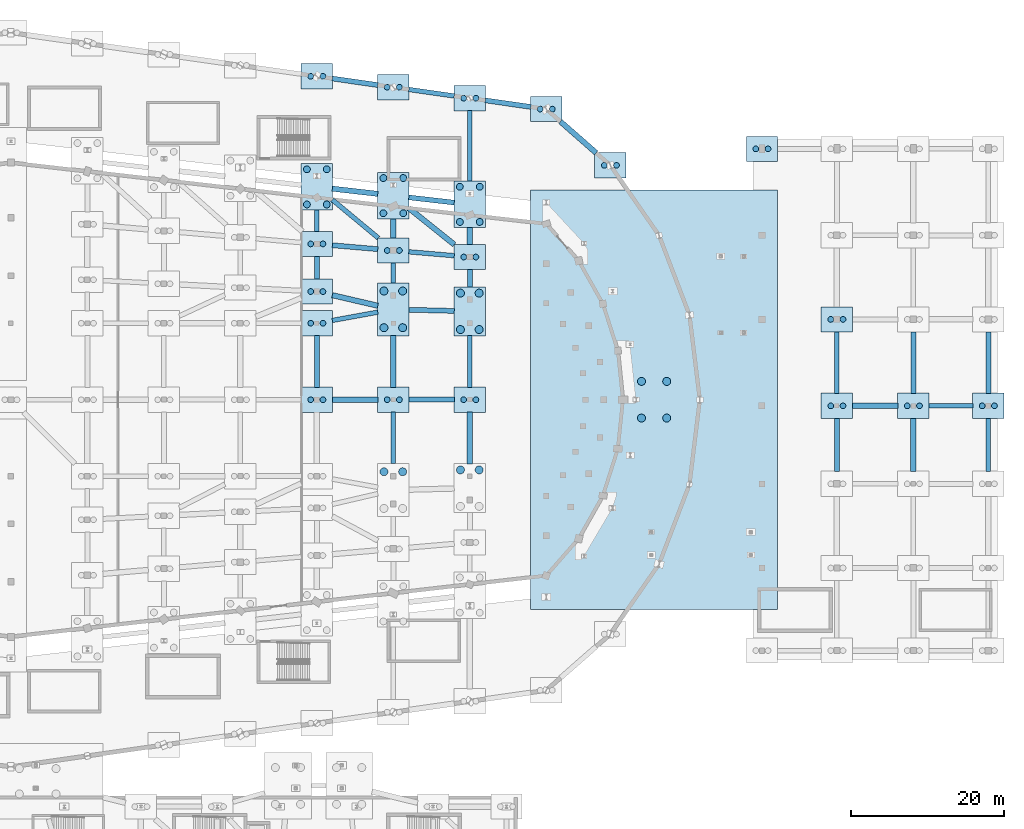
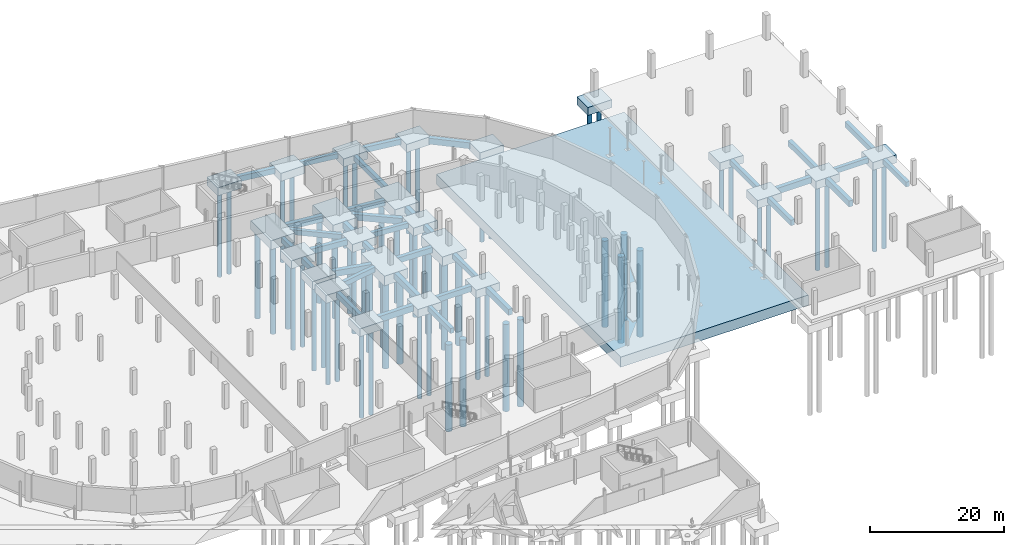
# One storey, part 6 of 55: 64 piles, 59 footings.
"""IFC4 building model written with IfcOpenShell, lengths in metres."""

from ifc_helpers import new_model, si_unit, direction, frame, origin, origin_2d, place, context, subcontext, project, spatial, rectangle, circle, extrude, material, material_profile, profile_set, type_object, element, save


model = new_model("IFC4")

# Units and contexts
model_context = context("Model", 3, precision=1e-05, world=origin(), true_north=direction((0.0, 1.0)))
body_context = subcontext(model_context, "Body", "Model", "MODEL_VIEW")
ifc_project = project(units=[si_unit("LENGTHUNIT", "METRE"), si_unit("AREAUNIT", "SQUARE_METRE"), si_unit("VOLUMEUNIT", "CUBIC_METRE"), si_unit("PLANEANGLEUNIT", "RADIAN"), si_unit("MASSUNIT", "GRAM", prefix="KILO")], contexts=[model_context])

# Site, building, storey
site_placement = place(None, origin())
site = spatial("IfcSite", under=ifc_project, at=site_placement, CompositionType="ELEMENT")
building_placement = place(site_placement, origin())
building = spatial("IfcBuilding", under=site, at=building_placement, Name="Sohan Crest Arena", CompositionType="ELEMENT")
storey_placement = place(building_placement, frame((0.0, 0.0, -4.5)))
storey = spatial("IfcBuildingStorey", under=building, at=storey_placement, Name="B1", CompositionType="ELEMENT", Elevation=-4.5)

# Footings
ifc_material = material(Name="Concrete C40/50", Category="concrete")
ifc_material_profile_1 = material_profile(ifc_material, rectangle(XDim=0.60009765625, YDim=0.89990234375, at=origin_2d()), Name="RC-FB 600x900")
ifc_profile_set_1 = profile_set([ifc_material_profile_1], Name="Concrete C40/50")
footing_type_1 = type_object("IfcFootingType", Name="FND-FB01", PredefinedType="FOOTING_BEAM", material=ifc_profile_set_1)
footing_1_placement = place(storey_placement, frame((140.030029296875, 88.367919921875, -1.0), z_axis=(0.983895781155, 0.17874308889, 0.0), x_axis=(-0.17874308889, 0.983895781155, 0.0)))
element("IfcFooting", 1, at=footing_1_placement, inside=storey, type_object=footing_type_1, Name="Continuous RC footing tie beam FB-153", PredefinedType="FOOTING_BEAM", context=body_context, shape_type="SweptSolid", body=[
    extrude(rectangle(XDim=0.60009765625, YDim=0.89990234375, at=origin_2d()), origin(), (0.0, 0.0, 1.0), 6.037109375),
])
footing_2_placement = place(storey_placement, frame((138.0, 100.0009765625, -1.0), z_axis=(0.0, 1.0, 0.0), x_axis=(-1.0, 0.0, 0.0)))
element("IfcFooting", 2, at=footing_2_placement, inside=storey, type_object=footing_type_1, Name="Continuous RC footing tie beam FB-156", PredefinedType="FOOTING_BEAM", context=body_context, shape_type="SweptSolid", body=[
    extrude(rectangle(XDim=0.60009765625, YDim=0.89990234375, at=origin_2d()), origin(), (0.0, 0.0, 1.0), 2.798095703125),
])
footing_3_placement = place(storey_placement, frame((140.030029296875, 104.14111328125, -1.0), z_axis=(0.768930012931, -0.639332961151, 0.0), x_axis=(0.639332961151, 0.768930012931, 0.0)))
element("IfcFooting", 3, at=footing_3_placement, inside=storey, type_object=footing_type_1, Name="Continuous RC footing tie beam FB-159", PredefinedType="FOOTING_BEAM", context=body_context, shape_type="SweptSolid", body=[
    extrude(rectangle(XDim=0.60009765625, YDim=0.89990234375, at=origin_2d()), origin(), (0.0, 0.0, 1.0), 7.816162109375),
])
footing_4_placement = place(storey_placement, frame((148.0, 69.6298828125, -1.0), z_axis=(0.0, 1.0, 0.0), x_axis=(-1.0, 0.0, 0.0)))
element("IfcFooting", 4, at=footing_4_placement, inside=storey, type_object=footing_type_1, Name="Continuous RC footing tie beam FB-174", PredefinedType="FOOTING_BEAM", context=body_context, shape_type="SweptSolid", body=[
    extrude(rectangle(XDim=0.60009765625, YDim=0.89990234375, at=origin_2d()), origin(), (0.0, 0.0, 1.0), 6.740234375),
])
footing_5_placement = place(storey_placement, frame((148.0, 93.260009765625, -1.0), z_axis=(0.0, 1.0, 0.0), x_axis=(-1.0, 0.0, 0.0)))
element("IfcFooting", 5, at=footing_5_placement, inside=storey, type_object=footing_type_1, Name="Continuous RC footing tie beam FB-177", PredefinedType="FOOTING_BEAM", context=body_context, shape_type="SweptSolid", body=[
    extrude(rectangle(XDim=0.60009765625, YDim=0.89990234375, at=origin_2d()), origin(), (0.0, 0.0, 1.0), 2.6240234375),
])
footing_6_placement = place(storey_placement, frame((150.030029296875, 97.340087890625, -1.0), z_axis=(0.996348142256, -0.085383718726, 0.0), x_axis=(0.085383718726, 0.996348142256, 0.0)))
element("IfcFooting", 6, at=footing_6_placement, inside=storey, type_object=footing_type_1, Name="Continuous RC footing tie beam FB-180", PredefinedType="FOOTING_BEAM", context=body_context, shape_type="SweptSolid", body=[
    extrude(rectangle(XDim=0.60009765625, YDim=0.89990234375, at=origin_2d()), origin(), (0.0, 0.0, 1.0), 5.961669921875),
])
footing_7_placement = place(storey_placement, frame((150.030029296875, 118.56689453125, -1.0), z_axis=(0.989964949589, -0.141313122479, 0.0), x_axis=(0.141313122479, 0.989964949589, 0.0)))
element("IfcFooting", 7, at=footing_7_placement, inside=storey, type_object=footing_type_1, Name="Continuous RC footing tie beam FB-183", PredefinedType="FOOTING_BEAM", context=body_context, shape_type="SweptSolid", body=[
    extrude(rectangle(XDim=0.60009765625, YDim=0.89990234375, at=origin_2d()), origin(), (0.0, 0.0, 1.0), 6.000244140625),
])
footing_8_placement = place(storey_placement, frame((158.0, 79.6298828125, -1.0), z_axis=(0.0, 1.0, 0.0), x_axis=(-1.0, 0.0, 0.0)))
element("IfcFooting", 8, at=footing_8_placement, inside=storey, type_object=footing_type_1, Name="Continuous RC footing tie beam FB-195", PredefinedType="FOOTING_BEAM", context=body_context, shape_type="SweptSolid", body=[
    extrude(rectangle(XDim=0.60009765625, YDim=0.89990234375, at=origin_2d()), origin(), (0.0, 0.0, 1.0), 6.7421875),
])
footing_9_placement = place(storey_placement, frame((158.0, 106.572998046875, -1.0), z_axis=(0.0, 1.0, 0.0), x_axis=(-1.0, 0.0, 0.0)))
element("IfcFooting", 9, at=footing_9_placement, inside=storey, type_object=footing_type_1, Name="Continuous RC footing tie beam FB-198", PredefinedType="FOOTING_BEAM", context=body_context, shape_type="SweptSolid", body=[
    extrude(rectangle(XDim=0.60009765625, YDim=0.89990234375, at=origin_2d()), origin(), (0.0, 0.0, 1.0), 9.22607421875),
])
footing_10_placement = place(storey_placement, frame((206.0, 78.830078125, -1.0), z_axis=(0.0, 1.0, 0.0), x_axis=(-1.0, 0.0, 0.0)))
element("IfcFooting", 10, at=footing_10_placement, inside=storey, type_object=footing_type_1, Name="Continuous RC footing tie beam FB-213", PredefinedType="FOOTING_BEAM", context=body_context, shape_type="SweptSolid", body=[
    extrude(rectangle(XDim=0.60009765625, YDim=0.89990234375, at=origin_2d()), origin(), (0.0, 0.0, 1.0), 8.0400390625),
])
footing_11_placement = place(storey_placement, frame((218.030029296875, 77.199951171875, -1.0), z_axis=(1.0, 0.0, 0.0), x_axis=(0.0, 1.0, 0.0)))
element("IfcFooting", 11, at=footing_11_placement, inside=storey, type_object=footing_type_1, Name="Continuous RC footing tie beam FB-225", PredefinedType="FOOTING_BEAM", context=body_context, shape_type="SweptSolid", body=[
    extrude(rectangle(XDim=0.60009765625, YDim=0.89990234375, at=origin_2d()), origin(), (0.0, 0.0, 1.0), 5.739990234375),
])
footing_12_placement = place(storey_placement, frame((225.800048828125, 68.6298828125, -1.0), z_axis=(0.0, 1.0, 0.0), x_axis=(-1.0, 0.0, 0.0)))
element("IfcFooting", 12, at=footing_12_placement, inside=storey, type_object=footing_type_1, Name="Continuous RC footing tie beam FB-234", PredefinedType="FOOTING_BEAM", context=body_context, shape_type="SweptSolid", body=[
    extrude(rectangle(XDim=0.60009765625, YDim=0.89990234375, at=origin_2d()), origin(), (0.0, 0.0, 1.0), 6.940185546875),
])
ifc_material_profile_2 = material_profile(ifc_material, rectangle(XDim=0.64990234375, YDim=1.0, at=origin_2d()), Name="RC-FB 650x1000")
ifc_profile_set_2 = profile_set([ifc_material_profile_2], Name="Concrete C40/50")
footing_type_2 = type_object("IfcFootingType", Name="FND-FB02", PredefinedType="FOOTING_BEAM", material=ifc_profile_set_2)
footing_13_placement = place(storey_placement, frame((138.0, 79.6298828125, -1.050048828125), z_axis=(0.0, 1.0, 0.0), x_axis=(-1.0, 0.0, 0.0)))
element("IfcFooting", 13, at=footing_13_placement, inside=storey, type_object=footing_type_2, Name="Continuous RC footing tie beam FB-151", PredefinedType="FOOTING_BEAM", context=body_context, shape_type="SweptSolid", body=[
    extrude(rectangle(XDim=0.64990234375, YDim=1.0, at=origin_2d()), origin(), (0.0, 0.0, 1.0), 6.740234375),
])
footing_14_placement = place(storey_placement, frame((138.0, 93.77294921875, -1.050048828125), z_axis=(0.0, 1.0, 0.0), x_axis=(-1.0, 0.0, 0.0)))
element("IfcFooting", 14, at=footing_14_placement, inside=storey, type_object=footing_type_2, Name="Continuous RC footing tie beam FB-154", PredefinedType="FOOTING_BEAM", context=body_context, shape_type="SweptSolid", body=[
    extrude(rectangle(XDim=0.64990234375, YDim=1.0, at=origin_2d()), origin(), (0.0, 0.0, 1.0), 2.968017578125),
])
footing_15_placement = place(storey_placement, frame((140.030029296875, 98.197021484375, -1.050048828125), z_axis=(0.996348142256, -0.085383718726, 0.0), x_axis=(0.085383718726, 0.996348142256, 0.0)))
element("IfcFooting", 15, at=footing_15_placement, inside=storey, type_object=footing_type_2, Name="Continuous RC footing tie beam FB-157", PredefinedType="FOOTING_BEAM", context=body_context, shape_type="SweptSolid", body=[
    extrude(rectangle(XDim=0.64990234375, YDim=1.0, at=origin_2d()), origin(), (0.0, 0.0, 1.0), 5.961669921875),
])
footing_16_placement = place(storey_placement, frame((140.030029296875, 119.99609375, -1.050048828125), z_axis=(0.989936469339, -0.141512496521, 0.0), x_axis=(0.141512496521, 0.989936469339, 0.0)))
element("IfcFooting", 16, at=footing_16_placement, inside=storey, type_object=footing_type_2, Name="Continuous RC footing tie beam FB-160", PredefinedType="FOOTING_BEAM", context=body_context, shape_type="SweptSolid", body=[
    extrude(rectangle(XDim=0.64990234375, YDim=1.0, at=origin_2d()), origin(), (0.0, 0.0, 1.0), 6.000244140625),
])
footing_17_placement = place(storey_placement, frame((150.030029296875, 78.0, -1.050048828125), z_axis=(1.0, 0.0, 0.0), x_axis=(0.0, 1.0, 0.0)))
element("IfcFooting", 17, at=footing_17_placement, inside=storey, type_object=footing_type_2, Name="Continuous RC footing tie beam FB-175", PredefinedType="FOOTING_BEAM", context=body_context, shape_type="SweptSolid", body=[
    extrude(rectangle(XDim=0.64990234375, YDim=1.0, at=origin_2d()), origin(), (0.0, 0.0, 1.0), 5.93994140625),
])
footing_18_placement = place(storey_placement, frame((150.030029296875, 89.762939453125, -1.050048828125), z_axis=(0.999663855907, -0.02592634168, 0.0), x_axis=(0.02592634168, 0.999663855907, 0.0)))
element("IfcFooting", 18, at=footing_18_placement, inside=storey, type_object=footing_type_2, Name="Continuous RC footing tie beam FB-178", PredefinedType="FOOTING_BEAM", context=body_context, shape_type="SweptSolid", body=[
    extrude(rectangle(XDim=0.64990234375, YDim=1.0, at=origin_2d()), origin(), (0.0, 0.0, 1.0), 5.94189453125),
])
footing_19_placement = place(storey_placement, frame((150.030029296875, 104.4541015625, -1.050048828125), z_axis=(0.993526089935, -0.113604175183, 0.0), x_axis=(0.113604175183, 0.993526089935, 0.0)))
element("IfcFooting", 19, at=footing_19_placement, inside=storey, type_object=footing_type_2, Name="Continuous RC footing tie beam FB-181", PredefinedType="FOOTING_BEAM", context=body_context, shape_type="SweptSolid", body=[
    extrude(rectangle(XDim=0.64990234375, YDim=1.0, at=origin_2d()), origin(), (0.0, 0.0, 1.0), 5.978759765625),
])
footing_20_placement = place(storey_placement, frame((158.0, 92.741943359375, -1.050048828125), z_axis=(0.0, 1.0, 0.0), x_axis=(-1.0, 0.0, 0.0)))
element("IfcFooting", 20, at=footing_20_placement, inside=storey, type_object=footing_type_2, Name="Continuous RC footing tie beam FB-196", PredefinedType="FOOTING_BEAM", context=body_context, shape_type="SweptSolid", body=[
    extrude(rectangle(XDim=0.64990234375, YDim=1.0, at=origin_2d()), origin(), (0.0, 0.0, 1.0), 2.28515625),
])
footing_21_placement = place(storey_placement, frame((160.030029296875, 117.138916015625, -1.050048828125), z_axis=(0.989942168471, -0.14147262309, 0.0), x_axis=(0.14147262309, 0.989942168471, 0.0)))
element("IfcFooting", 21, at=footing_21_placement, inside=storey, type_object=footing_type_2, Name="Continuous RC footing tie beam FB-199", PredefinedType="FOOTING_BEAM", context=body_context, shape_type="SweptSolid", body=[
    extrude(rectangle(XDim=0.64990234375, YDim=1.0, at=origin_2d()), origin(), (0.0, 0.0, 1.0), 6.000244140625),
])
footing_22_placement = place(storey_placement, frame((206.0, 68.6298828125, -1.050048828125), z_axis=(0.0, 1.0, 0.0), x_axis=(-1.0, 0.0, 0.0)))
element("IfcFooting", 22, at=footing_22_placement, inside=storey, type_object=footing_type_2, Name="Continuous RC footing tie beam FB-211", PredefinedType="FOOTING_BEAM", context=body_context, shape_type="SweptSolid", body=[
    extrude(rectangle(XDim=0.64990234375, YDim=1.0, at=origin_2d()), origin(), (0.0, 0.0, 1.0), 6.940185546875),
])
for number, where, z_axis, x_axis, name in (
    (23, (216.0, 78.830078125, -1.050048828125), (0.0, 1.0, 0.0), (-1.0, 0.0, 0.0), "Continuous RC footing tie beam FB-226"),
    (24, (225.800048828125, 78.830078125, -1.050048828125), (0.0, 1.0, 0.0), (-1.0, 0.0, 0.0), "Continuous RC footing tie beam FB-235"),
):
    element("IfcFooting", number, at=place(storey_placement, frame(where, z_axis=z_axis, x_axis=x_axis)), inside=storey, type_object=footing_type_2, Name=name, PredefinedType="FOOTING_BEAM", context=body_context, shape_type="SweptSolid", body=[
        extrude(rectangle(XDim=0.64990234375, YDim=1.0, at=origin_2d()), origin(), (0.0, 0.0, 1.0), 8.0400390625),
    ])
ifc_material_profile_3 = material_profile(ifc_material, rectangle(XDim=0.699951171875, YDim=1.10009765625, at=origin_2d()), Name="RC-FB 700x1100")
ifc_profile_set_3 = profile_set([ifc_material_profile_3], Name="Concrete C40/50")
footing_type_3 = type_object("IfcFootingType", Name="FND-FB03", PredefinedType="FOOTING_BEAM", material=ifc_profile_set_3)
footing_23_placement = place(storey_placement, frame((140.030029296875, 78.0, -1.10009765625), z_axis=(1.0, 0.0, 0.0), x_axis=(0.0, 1.0, 0.0)))
element("IfcFooting", 25, at=footing_23_placement, inside=storey, type_object=footing_type_3, Name="Continuous RC footing tie beam FB-152", PredefinedType="FOOTING_BEAM", context=body_context, shape_type="SweptSolid", body=[
    extrude(rectangle(XDim=0.699951171875, YDim=1.10009765625, at=origin_2d()), origin(), (0.0, 0.0, 1.0), 5.93994140625),
])
footing_24_placement = place(storey_placement, frame((140.030029296875, 91.669921875, -1.10009765625), z_axis=(0.973991592445, -0.226584151798, 0.0), x_axis=(0.226584151798, 0.973991592445, 0.0)))
element("IfcFooting", 26, at=footing_24_placement, inside=storey, type_object=footing_type_3, Name="Continuous RC footing tie beam FB-155", PredefinedType="FOOTING_BEAM", context=body_context, shape_type="SweptSolid", body=[
    extrude(rectangle(XDim=0.699951171875, YDim=1.10009765625, at=origin_2d()), origin(), (0.0, 0.0, 1.0), 6.0986328125),
])
footing_25_placement = place(storey_placement, frame((140.030029296875, 105.596923828125, -1.10009765625), z_axis=(0.993530698181, -0.113563866488, 0.0), x_axis=(0.113563866488, 0.993530698181, 0.0)))
element("IfcFooting", 27, at=footing_25_placement, inside=storey, type_object=footing_type_3, Name="Continuous RC footing tie beam FB-158", PredefinedType="FOOTING_BEAM", context=body_context, shape_type="SweptSolid", body=[
    extrude(rectangle(XDim=0.699951171875, YDim=1.10009765625, at=origin_2d()), origin(), (0.0, 0.0, 1.0), 5.978515625),
])
footing_26_placement = place(storey_placement, frame((148.0, 79.6298828125, -1.10009765625), z_axis=(0.0, 1.0, 0.0), x_axis=(-1.0, 0.0, 0.0)))
element("IfcFooting", 28, at=footing_26_placement, inside=storey, type_object=footing_type_3, Name="Continuous RC footing tie beam FB-176", PredefinedType="FOOTING_BEAM", context=body_context, shape_type="SweptSolid", body=[
    extrude(rectangle(XDim=0.699951171875, YDim=1.10009765625, at=origin_2d()), origin(), (0.0, 0.0, 1.0), 6.740234375),
])
footing_27_placement = place(storey_placement, frame((148.0, 99.14404296875, -1.10009765625), z_axis=(0.0, 1.0, 0.0), x_axis=(-1.0, 0.0, 0.0)))
element("IfcFooting", 29, at=footing_27_placement, inside=storey, type_object=footing_type_3, Name="Continuous RC footing tie beam FB-179", PredefinedType="FOOTING_BEAM", context=body_context, shape_type="SweptSolid", body=[
    extrude(rectangle(XDim=0.699951171875, YDim=1.10009765625, at=origin_2d()), origin(), (0.0, 0.0, 1.0), 2.511962890625),
])
footing_28_placement = place(storey_placement, frame((150.030029296875, 103.055908203125, -1.10009765625), z_axis=(0.779788871909, -0.626042582614, 0.0), x_axis=(0.626042582614, 0.779788871909, 0.0)))
element("IfcFooting", 30, at=footing_28_placement, inside=storey, type_object=footing_type_3, Name="Continuous RC footing tie beam FB-182", PredefinedType="FOOTING_BEAM", context=body_context, shape_type="SweptSolid", body=[
    extrude(rectangle(XDim=0.699951171875, YDim=1.10009765625, at=origin_2d()), origin(), (0.0, 0.0, 1.0), 7.617431640625),
])
footing_29_placement = place(storey_placement, frame((158.0, 69.6279296875, -1.10009765625), z_axis=(0.0, 1.0, 0.0), x_axis=(-1.0, 0.0, 0.0)))
element("IfcFooting", 31, at=footing_29_placement, inside=storey, type_object=footing_type_3, Name="Continuous RC footing tie beam FB-194", PredefinedType="FOOTING_BEAM", context=body_context, shape_type="SweptSolid", body=[
    extrude(rectangle(XDim=0.699951171875, YDim=1.10009765625, at=origin_2d()), origin(), (0.0, 0.0, 1.0), 6.7421875),
])
footing_30_placement = place(storey_placement, frame((158.0, 98.287109375, -1.10009765625), z_axis=(0.0, 1.0, 0.0), x_axis=(-1.0, 0.0, 0.0)))
element("IfcFooting", 32, at=footing_30_placement, inside=storey, type_object=footing_type_3, Name="Continuous RC footing tie beam FB-197", PredefinedType="FOOTING_BEAM", context=body_context, shape_type="SweptSolid", body=[
    extrude(rectangle(XDim=0.699951171875, YDim=1.10009765625, at=origin_2d()), origin(), (0.0, 0.0, 1.0), 2.225830078125),
])
footing_31_placement = place(storey_placement, frame((169.85791015625, 114.3701171875, -1.10009765625), z_axis=(0.751650354053, -0.659561782741, 0.0), x_axis=(0.659561782741, 0.751650354053, 0.0)))
element("IfcFooting", 33, at=footing_31_placement, inside=storey, type_object=footing_type_3, Name="Continuous RC footing tie beam FB-203", PredefinedType="FOOTING_BEAM", context=body_context, shape_type="SweptSolid", body=[
    extrude(rectangle(XDim=0.699951171875, YDim=1.10009765625, at=origin_2d()), origin(), (0.0, 0.0, 1.0), 6.208984375),
])
footing_32_placement = place(storey_placement, frame((208.030029296875, 77.199951171875, -1.10009765625), z_axis=(1.0, 0.0, 0.0), x_axis=(0.0, 1.0, 0.0)))
element("IfcFooting", 34, at=footing_32_placement, inside=storey, type_object=footing_type_3, Name="Continuous RC footing tie beam FB-212", PredefinedType="FOOTING_BEAM", context=body_context, shape_type="SweptSolid", body=[
    extrude(rectangle(XDim=0.699951171875, YDim=1.10009765625, at=origin_2d()), origin(), (0.0, 0.0, 1.0), 5.93994140625),
])
footing_33_placement = place(storey_placement, frame((216.0, 68.6298828125, -1.10009765625), z_axis=(0.0, 1.0, 0.0), x_axis=(-1.0, 0.0, 0.0)))
element("IfcFooting", 35, at=footing_33_placement, inside=storey, type_object=footing_type_3, Name="Continuous RC footing tie beam FB-224", PredefinedType="FOOTING_BEAM", context=body_context, shape_type="SweptSolid", body=[
    extrude(rectangle(XDim=0.699951171875, YDim=1.10009765625, at=origin_2d()), origin(), (0.0, 0.0, 1.0), 6.940185546875),
])

# Piles
ifc_material_profile_4 = material_profile(ifc_material, circle(Radius=0.449951171875, at=origin_2d()), Name="PILE D900")
ifc_profile_set_4 = profile_set([ifc_material_profile_4], Name="Concrete C40/50")
pile_type_1 = type_object("IfcPileType", Name="FND-P01", PredefinedType="BORED", material=ifc_profile_set_4)
for number, where, z_axis, x_axis, name in (
    (36, (139.300048828125, 103.529052734375, -18.0), (0.0, 0.0, 1.0), (1.0, 0.0, 0.0), "Bored Concrete C40/50 pile P-103-1"),
    (37, (139.300048828125, 108.12890625, -18.0), (0.0, 0.0, 1.0), (1.0, 0.0, 0.0), "Bored Concrete C40/50 pile P-103-2"),
    (38, (136.699951171875, 103.529052734375, -18.0), (0.0, 0.0, 1.0), (1.0, 0.0, 0.0), "Bored Concrete C40/50 pile P-103-3"),
    (39, (136.699951171875, 108.12890625, -18.0), (0.0, 0.0, 1.0), (1.0, 0.0, 0.0), "Bored Concrete C40/50 pile P-103-4"),
    (40, (149.300048828125, 102.385986328125, -18.0), (0.0, 0.0, 1.0), (1.0, 0.0, 0.0), "Bored Concrete C40/50 pile P-115-1"),
    (41, (149.300048828125, 106.986083984375, -18.0), (0.0, 0.0, 1.0), (1.0, 0.0, 0.0), "Bored Concrete C40/50 pile P-115-2"),
    (42, (146.699951171875, 102.385986328125, -18.0), (0.0, 0.0, 1.0), (1.0, 0.0, 0.0), "Bored Concrete C40/50 pile P-115-3"),
    (43, (146.699951171875, 106.986083984375, -18.0), (0.0, 0.0, 1.0), (1.0, 0.0, 0.0), "Bored Concrete C40/50 pile P-115-4"),
    (44, (159.300048828125, 101.242919921875, -18.0), (0.0, 0.0, 1.0), (1.0, 0.0, 0.0), "Bored Concrete C40/50 pile P-127-1"),
    (45, (159.300048828125, 105.843017578125, -18.0), (0.0, 0.0, 1.0), (1.0, 0.0, 0.0), "Bored Concrete C40/50 pile P-127-2"),
    (46, (156.699951171875, 101.242919921875, -18.0), (0.0, 0.0, 1.0), (1.0, 0.0, 0.0), "Bored Concrete C40/50 pile P-127-3"),
    (47, (156.699951171875, 105.843017578125, -18.0), (0.0, 0.0, 1.0), (1.0, 0.0, 0.0), "Bored Concrete C40/50 pile P-127-4"),
):
    element("IfcPile", number, at=place(storey_placement, frame(where, z_axis=z_axis, x_axis=x_axis)), inside=storey, type_object=pile_type_1, Name=name, PredefinedType="BORED", context=body_context, shape_type="SweptSolid", body=[
        extrude(circle(Radius=0.449951171875, at=origin_2d()), origin(), (0.0, 0.0, 1.0), 15.919921875),
    ])
ifc_material_profile_5 = material_profile(ifc_material, circle(Radius=0.52490234375, at=origin_2d()), Name="PILE D1050")
ifc_profile_set_5 = profile_set([ifc_material_profile_5], Name="Concrete C40/50")
pile_type_2 = type_object("IfcPileType", Name="FND-P02", PredefinedType="BORED", material=ifc_profile_set_5)
for number, where, z_axis, x_axis, name in (
    (48, (149.22509765625, 68.5849609375, -18.0), (0.0, 0.0, 1.0), (1.0, 0.0, 0.0), "Bored Concrete C40/50 pile P-111-2"),
    (49, (146.77490234375, 68.5849609375, -18.0), (0.0, 0.0, 1.0), (1.0, 0.0, 0.0), "Bored Concrete C40/50 pile P-111-4"),
    (50, (149.22509765625, 87.4150390625, -18.0), (0.0, 0.0, 1.0), (1.0, 0.0, 0.0), "Bored Concrete C40/50 pile P-113-1"),
    (51, (149.22509765625, 92.215087890625, -18.0), (0.0, 0.0, 1.0), (1.0, 0.0, 0.0), "Bored Concrete C40/50 pile P-113-2"),
    (52, (146.77490234375, 87.4150390625, -18.0), (0.0, 0.0, 1.0), (1.0, 0.0, 0.0), "Bored Concrete C40/50 pile P-113-3"),
    (53, (146.77490234375, 92.215087890625, -18.0), (0.0, 0.0, 1.0), (1.0, 0.0, 0.0), "Bored Concrete C40/50 pile P-113-4"),
):
    element("IfcPile", number, at=place(storey_placement, frame(where, z_axis=z_axis, x_axis=x_axis)), inside=storey, type_object=pile_type_2, Name=name, PredefinedType="BORED", context=body_context, shape_type="SweptSolid", body=[
        extrude(circle(Radius=0.52490234375, at=origin_2d()), origin(), (0.0, 0.0, 1.0), 15.820068359375),
    ])
for number, where, z_axis, x_axis, name in (
    (54, (159.22509765625, 68.822998046875, -18.0), (0.0, 0.0, 1.0), (1.0, 0.0, 0.0), "Bored Concrete C40/50 pile P-123-2"),
    (55, (156.77490234375, 68.822998046875, -18.0), (0.0, 0.0, 1.0), (1.0, 0.0, 0.0), "Bored Concrete C40/50 pile P-123-4"),
    (56, (159.22509765625, 87.177001953125, -18.0), (0.0, 0.0, 1.0), (1.0, 0.0, 0.0), "Bored Concrete C40/50 pile P-125-1"),
    (57, (159.22509765625, 91.93701171875, -18.0), (0.0, 0.0, 1.0), (1.0, 0.0, 0.0), "Bored Concrete C40/50 pile P-125-2"),
    (58, (156.77490234375, 87.177001953125, -18.0), (0.0, 0.0, 1.0), (1.0, 0.0, 0.0), "Bored Concrete C40/50 pile P-125-3"),
    (59, (156.77490234375, 91.93701171875, -18.0), (0.0, 0.0, 1.0), (1.0, 0.0, 0.0), "Bored Concrete C40/50 pile P-125-4"),
):
    element("IfcPile", number, at=place(storey_placement, frame(where, z_axis=z_axis, x_axis=x_axis)), inside=storey, type_object=pile_type_2, Name=name, PredefinedType="BORED", context=body_context, shape_type="SweptSolid", body=[
        extrude(circle(Radius=0.52490234375, at=origin_2d()), origin(), (0.0, 0.0, 1.0), 15.8701171875),
    ])
for number, where, z_axis, x_axis, name in (
    (60, (183.75, 75.60009765625, -18.0), (0.0, 0.0, 1.0), (1.0, 0.0, 0.0), "Bored Concrete C40/50 pile P-134-1"),
    (61, (183.75, 80.39990234375, -18.0), (0.0, 0.0, 1.0), (1.0, 0.0, 0.0), "Bored Concrete C40/50 pile P-134-2"),
    (62, (180.449951171875, 75.60009765625, -18.0), (0.0, 0.0, 1.0), (1.0, 0.0, 0.0), "Bored Concrete C40/50 pile P-134-3"),
    (63, (180.449951171875, 80.39990234375, -18.0), (0.0, 0.0, 1.0), (1.0, 0.0, 0.0), "Bored Concrete C40/50 pile P-134-4"),
):
    element("IfcPile", number, at=place(storey_placement, frame(where, z_axis=z_axis, x_axis=x_axis)), inside=storey, type_object=pile_type_2, Name=name, PredefinedType="BORED", context=body_context, shape_type="SweptSolid", body=[
        extrude(circle(Radius=0.52490234375, at=origin_2d()), origin(), (0.0, 0.0, 1.0), 15.719970703125),
    ])
ifc_material_profile_6 = material_profile(ifc_material, circle(Radius=0.375, at=origin_2d()), Name="PILE D750")
ifc_profile_set_6 = profile_set([ifc_material_profile_6], Name="Concrete C40/50")
pile_type_3 = type_object("IfcPileType", Name="FND-P03", PredefinedType="BORED", material=ifc_profile_set_6)
for number, where, z_axis, x_axis, name in (
    (64, (137.199951171875, 78.0, -18.0), (0.0, 0.0, 1.0), (1.0, 0.0, 0.0), "Bored Concrete C40/50 pile P-099-1"),
    (65, (138.800048828125, 78.0, -18.0), (0.0, 0.0, 1.0), (1.0, 0.0, 0.0), "Bored Concrete C40/50 pile P-099-2"),
    (66, (137.199951171875, 88.0, -18.0), (0.0, 0.0, 1.0), (1.0, 0.0, 0.0), "Bored Concrete C40/50 pile P-100-1"),
    (67, (138.800048828125, 88.0, -18.0), (0.0, 0.0, 1.0), (1.0, 0.0, 0.0), "Bored Concrete C40/50 pile P-100-2"),
    (68, (137.199951171875, 92.14306640625, -18.0), (0.0, 0.0, 1.0), (1.0, 0.0, 0.0), "Bored Concrete C40/50 pile P-101-1"),
    (69, (138.800048828125, 92.14306640625, -18.0), (0.0, 0.0, 1.0), (1.0, 0.0, 0.0), "Bored Concrete C40/50 pile P-101-2"),
    (70, (137.199951171875, 98.37109375, -18.0), (0.0, 0.0, 1.0), (1.0, 0.0, 0.0), "Bored Concrete C40/50 pile P-102-1"),
    (71, (138.800048828125, 98.37109375, -18.0), (0.0, 0.0, 1.0), (1.0, 0.0, 0.0), "Bored Concrete C40/50 pile P-102-2"),
    (72, (137.199951171875, 120.285888671875, -18.0), (0.0, 0.0, 1.0), (1.0, 0.0, 0.0), "Bored Concrete C40/50 pile P-104-1"),
    (73, (138.800048828125, 120.285888671875, -18.0), (0.0, 0.0, 1.0), (1.0, 0.0, 0.0), "Bored Concrete C40/50 pile P-104-2"),
    (74, (147.199951171875, 78.0, -18.0), (0.0, 0.0, 1.0), (1.0, 0.0, 0.0), "Bored Concrete C40/50 pile P-112-1"),
    (75, (148.800048828125, 78.0, -18.0), (0.0, 0.0, 1.0), (1.0, 0.0, 0.0), "Bored Concrete C40/50 pile P-112-2"),
    (76, (147.199951171875, 97.513916015625, -18.0), (0.0, 0.0, 1.0), (1.0, 0.0, 0.0), "Bored Concrete C40/50 pile P-114-1"),
    (77, (148.800048828125, 97.513916015625, -18.0), (0.0, 0.0, 1.0), (1.0, 0.0, 0.0), "Bored Concrete C40/50 pile P-114-2"),
    (78, (147.199951171875, 118.85693359375, -18.0), (0.0, 0.0, 1.0), (1.0, 0.0, 0.0), "Bored Concrete C40/50 pile P-116-1"),
    (79, (148.800048828125, 118.85693359375, -18.0), (0.0, 0.0, 1.0), (1.0, 0.0, 0.0), "Bored Concrete C40/50 pile P-116-2"),
    (80, (157.199951171875, 78.0, -18.0), (0.0, 0.0, 1.0), (1.0, 0.0, 0.0), "Bored Concrete C40/50 pile P-124-1"),
    (81, (158.800048828125, 78.0, -18.0), (0.0, 0.0, 1.0), (1.0, 0.0, 0.0), "Bored Concrete C40/50 pile P-124-2"),
    (82, (157.199951171875, 96.656982421875, -18.0), (0.0, 0.0, 1.0), (1.0, 0.0, 0.0), "Bored Concrete C40/50 pile P-126-1"),
    (83, (158.800048828125, 96.656982421875, -18.0), (0.0, 0.0, 1.0), (1.0, 0.0, 0.0), "Bored Concrete C40/50 pile P-126-2"),
    (84, (157.199951171875, 117.428955078125, -18.0), (0.0, 0.0, 1.0), (1.0, 0.0, 0.0), "Bored Concrete C40/50 pile P-128-1"),
    (85, (158.800048828125, 117.428955078125, -18.0), (0.0, 0.0, 1.0), (1.0, 0.0, 0.0), "Bored Concrete C40/50 pile P-128-2"),
    (86, (167.199951171875, 116.0, -18.0), (0.0, 0.0, 1.0), (1.0, 0.0, 0.0), "Bored Concrete C40/50 pile P-135-1"),
    (87, (168.800048828125, 116.0, -18.0), (0.0, 0.0, 1.0), (1.0, 0.0, 0.0), "Bored Concrete C40/50 pile P-135-2"),
    (88, (175.5830078125, 108.64501953125, -18.0), (0.0, 0.0, 1.0), (1.0, 0.0, 0.0), "Bored Concrete C40/50 pile P-137-1"),
    (89, (177.18310546875, 108.64501953125, -18.0), (0.0, 0.0, 1.0), (1.0, 0.0, 0.0), "Bored Concrete C40/50 pile P-137-2"),
    (90, (195.39990234375, 110.800048828125, -18.0), (0.0, 0.0, 1.0), (1.0, 0.0, 0.0), "Bored Concrete C40/50 pile P-139-1"),
    (91, (197.0, 110.800048828125, -18.0), (0.0, 0.0, 1.0), (1.0, 0.0, 0.0), "Bored Concrete C40/50 pile P-139-2"),
    (92, (205.199951171875, 77.199951171875, -18.0), (0.0, 0.0, 1.0), (1.0, 0.0, 0.0), "Bored Concrete C40/50 pile P-143-1"),
    (93, (206.800048828125, 77.199951171875, -18.0), (0.0, 0.0, 1.0), (1.0, 0.0, 0.0), "Bored Concrete C40/50 pile P-143-2"),
    (94, (205.199951171875, 88.5, -18.0), (0.0, 0.0, 1.0), (1.0, 0.0, 0.0), "Bored Concrete C40/50 pile P-144-1"),
    (95, (206.800048828125, 88.5, -18.0), (0.0, 0.0, 1.0), (1.0, 0.0, 0.0), "Bored Concrete C40/50 pile P-144-2"),
    (96, (215.199951171875, 77.199951171875, -18.0), (0.0, 0.0, 1.0), (1.0, 0.0, 0.0), "Bored Concrete C40/50 pile P-150-1"),
    (97, (216.800048828125, 77.199951171875, -18.0), (0.0, 0.0, 1.0), (1.0, 0.0, 0.0), "Bored Concrete C40/50 pile P-150-2"),
    (98, (225.0, 77.199951171875, -18.0), (0.0, 0.0, 1.0), (1.0, 0.0, 0.0), "Bored Concrete C40/50 pile P-157-1"),
    (99, (226.60009765625, 77.199951171875, -18.0), (0.0, 0.0, 1.0), (1.0, 0.0, 0.0), "Bored Concrete C40/50 pile P-157-2"),
):
    element("IfcPile", number, at=place(storey_placement, frame(where, z_axis=z_axis, x_axis=x_axis)), inside=storey, type_object=pile_type_3, Name=name, PredefinedType="BORED", context=body_context, shape_type="SweptSolid", body=[
        extrude(circle(Radius=0.375, at=origin_2d()), origin(), (0.0, 0.0, 1.0), 16.1201171875),
    ])

# Footings
footing_type_4 = type_object("IfcFootingType", Name="FND-PC02", PredefinedType="PILE_CAP", material=ifc_material)
for number, where, z_axis, x_axis, name in (
    (100, (138.0, 78.0, -2.0), (0.0, 0.0, 1.0), (1.0, 0.0, 0.0), "Reinforced concrete pile cap PC-099"),
    (101, (138.0, 88.0, -2.0), (0.0, 0.0, 1.0), (1.0, 0.0, 0.0), "Reinforced concrete pile cap PC-100"),
    (102, (138.0, 92.14306640625, -2.0), (0.0, 0.0, 1.0), (1.0, 0.0, 0.0), "Reinforced concrete pile cap PC-101"),
    (103, (138.0, 98.37109375, -2.0), (0.0, 0.0, 1.0), (1.0, 0.0, 0.0), "Reinforced concrete pile cap PC-102"),
    (104, (138.0, 120.285888671875, -2.0), (0.0, 0.0, 1.0), (1.0, 0.0, 0.0), "Reinforced concrete pile cap PC-104"),
    (105, (148.0, 78.0, -2.0), (0.0, 0.0, 1.0), (1.0, 0.0, 0.0), "Reinforced concrete pile cap PC-112"),
    (106, (148.0, 97.513916015625, -2.0), (0.0, 0.0, 1.0), (1.0, 0.0, 0.0), "Reinforced concrete pile cap PC-114"),
    (107, (148.0, 118.85693359375, -2.0), (0.0, 0.0, 1.0), (1.0, 0.0, 0.0), "Reinforced concrete pile cap PC-116"),
    (108, (158.0, 78.0, -2.0), (0.0, 0.0, 1.0), (1.0, 0.0, 0.0), "Reinforced concrete pile cap PC-124"),
    (109, (158.0, 96.656982421875, -2.0), (0.0, 0.0, 1.0), (1.0, 0.0, 0.0), "Reinforced concrete pile cap PC-126"),
    (110, (158.0, 117.428955078125, -2.0), (0.0, 0.0, 1.0), (1.0, 0.0, 0.0), "Reinforced concrete pile cap PC-128"),
    (111, (168.0, 116.0, -2.0), (0.0, 0.0, 1.0), (1.0, 0.0, 0.0), "Reinforced concrete pile cap PC-135"),
    (112, (176.383056640625, 108.64501953125, -2.0), (0.0, 0.0, 1.0), (1.0, 0.0, 0.0), "Reinforced concrete pile cap PC-137"),
    (113, (196.199951171875, 110.800048828125, -2.0), (0.0, 0.0, 1.0), (1.0, 0.0, 0.0), "Reinforced concrete pile cap PC-139"),
    (114, (206.0, 77.199951171875, -2.0), (0.0, 0.0, 1.0), (1.0, 0.0, 0.0), "Reinforced concrete pile cap PC-143"),
    (115, (206.0, 88.5, -2.0), (0.0, 0.0, 1.0), (1.0, 0.0, 0.0), "Reinforced concrete pile cap PC-144"),
    (116, (216.0, 77.199951171875, -2.0), (0.0, 0.0, 1.0), (1.0, 0.0, 0.0), "Reinforced concrete pile cap PC-150"),
    (117, (225.800048828125, 77.199951171875, -2.0), (0.0, 0.0, 1.0), (1.0, 0.0, 0.0), "Reinforced concrete pile cap PC-157"),
):
    element("IfcFooting", number, at=place(storey_placement, frame(where, z_axis=z_axis, x_axis=x_axis)), inside=storey, type_object=footing_type_4, Name=name, PredefinedType="PILE_CAP", context=body_context, shape_type="SweptSolid", body=[
        extrude(rectangle(XDim=4.10009765625, YDim=3.300048828125, at=origin_2d()), origin(), (0.0, 0.0, 1.0), 1.449951171875),
    ])
footing_type_5 = type_object("IfcFootingType", Name="FND-PC06", PredefinedType="PILE_CAP", material=ifc_material)
for number, where, z_axis, x_axis, name in (
    (118, (138.0, 105.8291015625, -2.199951171875), (0.0, 0.0, 1.0), (0.0, 1.0, 0.0), "Reinforced concrete pile cap PC-103"),
    (119, (148.0, 104.68603515625, -2.199951171875), (0.0, 0.0, 1.0), (0.0, 1.0, 0.0), "Reinforced concrete pile cap PC-115"),
    (120, (158.0, 103.54296875, -2.199951171875), (0.0, 0.0, 1.0), (0.0, 1.0, 0.0), "Reinforced concrete pile cap PC-127"),
):
    element("IfcFooting", number, at=place(storey_placement, frame(where, z_axis=z_axis, x_axis=x_axis)), inside=storey, type_object=footing_type_5, Name=name, PredefinedType="PILE_CAP", context=body_context, shape_type="SweptSolid", body=[
        extrude(rectangle(XDim=6.10009765625, YDim=4.10009765625, at=origin_2d()), origin(), (0.0, 0.0, 1.0), 1.64990234375),
    ])
footing_type_6 = type_object("IfcFootingType", Name="FND-PC07", PredefinedType="PILE_CAP", material=ifc_material)
footing_34_placement = place(storey_placement, frame((158.0, 89.556884765625, -2.25), z_axis=(0.0, 0.0, 1.0), x_axis=(0.0, 1.0, 0.0)))
element("IfcFooting", 121, at=footing_34_placement, inside=storey, type_object=footing_type_6, Name="Reinforced concrete pile cap PC-125", PredefinedType="PILE_CAP", context=body_context, shape_type="SweptSolid", body=[
    extrude(rectangle(XDim=6.409912109375, YDim=4.10009765625, at=origin_2d()), origin(), (0.0, 0.0, 1.0), 1.699951171875),
])
footing_type_7 = type_object("IfcFootingType", Name="FND-PC08", PredefinedType="PILE_CAP", material=ifc_material)
footing_35_placement = place(storey_placement, frame((148.0, 89.81494140625, -2.300048828125), z_axis=(0.0, 0.0, 1.0), x_axis=(0.0, 1.0, 0.0)))
element("IfcFooting", 122, at=footing_35_placement, inside=storey, type_object=footing_type_7, Name="Reinforced concrete pile cap PC-113", PredefinedType="PILE_CAP", context=body_context, shape_type="SweptSolid", body=[
    extrude(rectangle(XDim=6.929931640625, YDim=4.10009765625, at=origin_2d()), origin(), (0.0, 0.0, 1.0), 1.75),
])
footing_type_8 = type_object("IfcFootingType", Name="FND-PC10", PredefinedType="PILE_CAP", material=ifc_material)
footing_36_placement = place(storey_placement, frame((182.10009765625, 78.0, -2.400146484375), z_axis=(0.0, 0.0, 1.0), x_axis=(0.0, 1.0, 0.0)))
element("IfcFooting", 123, at=footing_36_placement, inside=storey, type_object=footing_type_8, Name="Reinforced concrete pile cap PC-134", PredefinedType="PILE_CAP", context=body_context, shape_type="SweptSolid", body=[
    extrude(rectangle(XDim=54.89990234375, YDim=32.300048828125, at=origin_2d()), origin(), (0.0, 0.0, 1.0), 1.85009765625),
])

save(model, "model.ifc")
